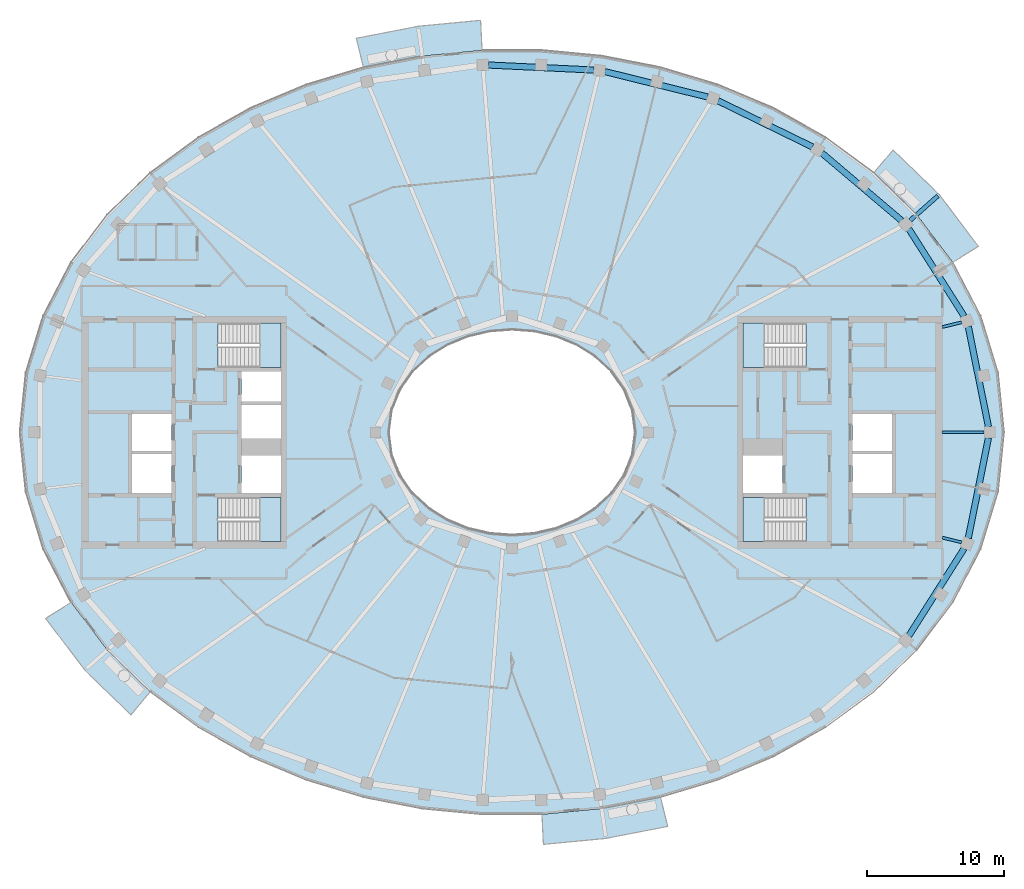
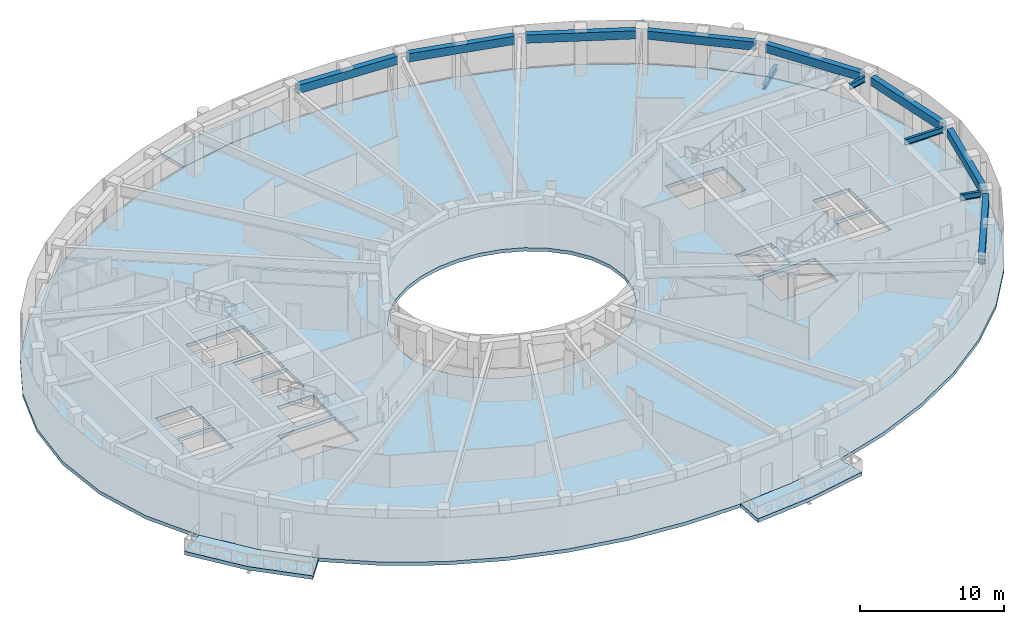
# One storey, part 2 of 20: 12 beams, 9 slabs, 4 elements without a shape of their own.
"""IFC4 building model written with IfcOpenShell, lengths in metres."""

from ifc_helpers import new_model, si_unit, direction, frame, origin, origin_2d, place, context, subcontext, project, spatial, polyline, rectangle, i_section, outline, extrude, material, layer, layer_set, material_profile, profile_set, type_object, element, aggregate, save


model = new_model("IFC4")

# Units and contexts
model_context = context("Model", 3, precision=1e-05, world=origin(), true_north=direction((0.0, 1.0)))
body_context = subcontext(model_context, "Body", "Model", "MODEL_VIEW")
ifc_project = project(units=[si_unit("LENGTHUNIT", "METRE"), si_unit("AREAUNIT", "SQUARE_METRE"), si_unit("VOLUMEUNIT", "CUBIC_METRE"), si_unit("PLANEANGLEUNIT", "RADIAN"), si_unit("MASSUNIT", "GRAM", prefix="KILO")], contexts=[model_context])

# Site, building, storey
site_placement = place(None, origin())
site = spatial("IfcSite", under=ifc_project, at=site_placement, CompositionType="ELEMENT")
building_placement = place(site_placement, origin())
building = spatial("IfcBuilding", under=site, at=building_placement, Name="Noorbagh Ring Tower", CompositionType="ELEMENT")
storey_placement = place(building_placement, frame((0.0, 0.0, 323.0)))
storey = spatial("IfcBuildingStorey", under=building, at=storey_placement, Name="L70", CompositionType="ELEMENT", Elevation=323.0)

# Beams
ifc_material_1 = material(Name="Steel S355", Category="steel")
ifc_material_profile_1 = material_profile(ifc_material_1, i_section(OverallWidth=0.300048828125, OverallDepth=0.39990234375, WebThickness=0.013427734375, FlangeThickness=0.02392578125, FilletRadius=0.027099609375, at=origin_2d()), Name="HEB400")
ifc_profile_set_1 = profile_set([ifc_material_profile_1], Name="Steel S355")
beam_type_1 = type_object("IfcBeamType", Name="STR-BALCONY-BRACKET-HEB400", PredefinedType="BEAM", material=ifc_profile_set_1)
beam_1_placement = place(storey_placement, frame((29.1220703125, 15.498779296875, -0.5), z_axis=(0.749065478734, 0.662495968719, 0.0), x_axis=(-0.662495968719, 0.749065478734, 0.0)))
element("IfcBeam", 1, at=beam_1_placement, inside=storey, type_object=beam_type_1, Name="Balcony bracket beam BN01", PredefinedType="BEAM", context=body_context, shape_type="SweptSolid", body=[
    extrude(i_section(OverallWidth=0.300048828125, OverallDepth=0.39990234375, WebThickness=0.013427734375, FlangeThickness=0.02392578125, FilletRadius=0.027099609375, at=origin_2d()), origin(), (0.0, 0.0, 1.0), 2.70458984375),
])
ifc_material_2 = material(Name="Steel S355", Category="steel")
ifc_material_profile_2 = material_profile(ifc_material_2, i_section(OverallWidth=0.199951171875, OverallDepth=0.5, WebThickness=0.01025390625, FlangeThickness=0.01611328125, FilletRadius=0.02099609375, at=origin_2d()), Name="IPE500")
ifc_profile_set_2 = profile_set([ifc_material_profile_2], Name="Steel S355")
beam_type_2 = type_object("IfcBeamType", Name="STR-RAD-IPE500", PredefinedType="BEAM", material=ifc_profile_set_2)
beam_2_placement = place(storey_placement, frame((34.539794921875, 0.0, 3.449951171875), z_axis=(-1.0, 0.0, 0.0), x_axis=(0.0, -1.0, 0.0)))
element("IfcBeam", 2, at=beam_2_placement, inside=storey, type_object=beam_type_2, Name="L70/bm/RD01", PredefinedType="BEAM", context=body_context, shape_type="SweptSolid", body=[
    extrude(i_section(OverallWidth=0.199951171875, OverallDepth=0.5, WebThickness=0.01025390625, FlangeThickness=0.01611328125, FilletRadius=0.02099609375, at=origin_2d()), origin(), (0.0, 0.0, 1.0), 3.059814453125),
])
for number, where, z_axis, x_axis, name in (
    (3, (32.9072265625, 8.052001953125, 3.449951171875), (-0.971342749116, -0.237683116228, 0.0), (0.237683116228, -0.971342749116, 0.0), "L70/bm/RD03"),
    (4, (32.9072265625, -8.052001953125, 3.449951171875), (-0.971342749116, 0.237683116228, 0.0), (-0.237683116228, -0.971342749116, 0.0), "L70/bm/RD45"),
):
    element("IfcBeam", number, at=place(storey_placement, frame(where, z_axis=z_axis, x_axis=x_axis)), inside=storey, type_object=beam_type_2, Name=name, PredefinedType="BEAM", context=body_context, shape_type="SweptSolid", body=[
        extrude(i_section(OverallWidth=0.199951171875, OverallDepth=0.5, WebThickness=0.01025390625, FlangeThickness=0.01611328125, FilletRadius=0.02099609375, at=origin_2d()), origin(), (0.0, 0.0, 1.0), 1.46875),
    ])
ifc_material_3 = material(Name="Concrete C40/50", Category="concrete")
ifc_material_profile_3 = material_profile(ifc_material_3, rectangle(XDim=0.449951171875, YDim=0.699951171875, at=origin_2d()), Name="RC450x700")
ifc_profile_set_3 = profile_set([ifc_material_profile_3], Name="Concrete C40/50")
beam_type_3 = type_object("IfcBeamType", Name="STR-SB-RC450x700-C40-50", PredefinedType="BEAM", material=ifc_profile_set_3)
beam_3_placement = place(storey_placement, frame((34.863037109375, 0.4052734375, 3.35009765625), z_axis=(-0.197200970376, 0.980363084414, 0.0), x_axis=(-0.980363084414, -0.197200970376, 0.0)))
element("IfcBeam", 5, at=beam_3_placement, inside=storey, type_object=beam_type_3, Name="L70/bm/SP01", PredefinedType="BEAM", context=body_context, shape_type="SweptSolid", body=[
    extrude(rectangle(XDim=0.449951171875, YDim=0.699951171875, at=origin_2d()), origin(), (0.0, 0.0, 1.0), 7.486328125),
])
beam_4_placement = place(storey_placement, frame((33.0849609375, 8.4970703125, 3.35009765625), z_axis=(-0.535190354095, 0.844731486855, 0.0), x_axis=(-0.844731486855, -0.535190354095, 0.0)))
element("IfcBeam", 6, at=beam_4_placement, inside=storey, type_object=beam_type_3, Name="L70/bm/SP03", PredefinedType="BEAM", context=body_context, shape_type="SweptSolid", body=[
    extrude(rectangle(XDim=0.449951171875, YDim=0.699951171875, at=origin_2d()), origin(), (0.0, 0.0, 1.0), 7.560546875),
])
beam_5_placement = place(storey_placement, frame((28.50634765625, 15.4951171875, 3.35009765625), z_axis=(-0.763033626147, 0.646358789968, 0.0), x_axis=(-0.646358789968, -0.763033626147, 0.0)))
element("IfcBeam", 7, at=beam_5_placement, inside=storey, type_object=beam_type_3, Name="L70/bm/SP05", PredefinedType="BEAM", context=body_context, shape_type="SweptSolid", body=[
    extrude(rectangle(XDim=0.449951171875, YDim=0.699951171875, at=origin_2d()), origin(), (0.0, 0.0, 1.0), 7.643798828125),
])
beam_6_placement = place(storey_placement, frame((21.99560546875, 20.879150390625, 3.35009765625), z_axis=(-0.898397700963, 0.439182844501, 0.0), x_axis=(-0.439182844501, -0.898397700963, 0.0)))
element("IfcBeam", 8, at=beam_6_placement, inside=storey, type_object=beam_type_3, Name="L70/bm/SP07", PredefinedType="BEAM", context=body_context, shape_type="SweptSolid", body=[
    extrude(rectangle(XDim=0.449951171875, YDim=0.699951171875, at=origin_2d()), origin(), (0.0, 0.0, 1.0), 7.70263671875),
])
beam_7_placement = place(storey_placement, frame((14.314208984375, 24.53857421875, 3.35009765625), z_axis=(-0.970829204931, 0.239772089397, 0.0), x_axis=(-0.239772089397, -0.970829204931, 0.0)))
element("IfcBeam", 9, at=beam_7_placement, inside=storey, type_object=beam_type_3, Name="L70/bm/SP09", PredefinedType="BEAM", context=body_context, shape_type="SweptSolid", body=[
    extrude(rectangle(XDim=0.449951171875, YDim=0.699951171875, at=origin_2d()), origin(), (0.0, 0.0, 1.0), 7.7353515625),
])
beam_8_placement = place(storey_placement, frame((6.002685546875, 26.51025390625, 3.35009765625), z_axis=(-0.998868993013, 0.047547184961, 0.0), x_axis=(-0.047547184961, -0.998868993013, 0.0)))
element("IfcBeam", 10, at=beam_8_placement, inside=storey, type_object=beam_type_3, Name="L70/bm/SP11", PredefinedType="BEAM", context=body_context, shape_type="SweptSolid", body=[
    extrude(rectangle(XDim=0.449951171875, YDim=0.699951171875, at=origin_2d()), origin(), (0.0, 0.0, 1.0), 7.748291015625),
])
beam_9_placement = place(storey_placement, frame((29.03857421875, -14.8837890625, 3.35009765625), z_axis=(0.535190354095, 0.844731486855, 0.0), x_axis=(-0.844731486855, 0.535190354095, 0.0)))
element("IfcBeam", 11, at=beam_9_placement, inside=storey, type_object=beam_type_3, Name="L70/bm/SP43", PredefinedType="BEAM", context=body_context, shape_type="SweptSolid", body=[
    extrude(rectangle(XDim=0.449951171875, YDim=0.699951171875, at=origin_2d()), origin(), (0.0, 0.0, 1.0), 7.560546875),
])
beam_10_placement = place(storey_placement, frame((33.38671875, -7.74462890625, 3.35009765625), z_axis=(0.197200970376, 0.980363084414, 0.0), x_axis=(-0.980363084414, 0.197200970376, 0.0)))
element("IfcBeam", 12, at=beam_10_placement, inside=storey, type_object=beam_type_3, Name="L70/bm/SP45", PredefinedType="BEAM", context=body_context, shape_type="SweptSolid", body=[
    extrude(rectangle(XDim=0.449951171875, YDim=0.699951171875, at=origin_2d()), origin(), (0.0, 0.0, 1.0), 7.486328125),
])

# Stair, slab
ifc_material_4 = material(Name="Concrete C40/50", Category="concrete")
stair_type = type_object("IfcStairType", Name="CORE-STAIR", PredefinedType="HALF_TURN_STAIR", material=ifc_material_4)
stair_1_placement = place(storey_placement, origin())
stair_1 = element("IfcStair", 13, at=stair_1_placement, inside=storey, type_object=stair_type, Name="L70 Exit stair ST1", PredefinedType="HALF_TURN_STAIR")
ifc_material_5 = material(Name="Concrete C40/50", Category="concrete")
ifc_layer_1 = layer(ifc_material_5, 0.300048828125)
ifc_layer_set_1 = layer_set([ifc_layer_1], Name="Concrete C40/50")
slab_type_1 = type_object("IfcSlabType", Name="CORE-STAIR-LANDING", PredefinedType="LANDING", material=ifc_layer_set_1)
slab_1_placement = place(storey_placement, frame((0.0, 0.0, 1.699951171875)))
slab_1 = element("IfcSlab", 14, at=slab_1_placement, type_object=slab_type_1, Name="ST1 landing 1", PredefinedType="LANDING", context=body_context, shape_type="SweptSolid", body=[
    extrude(outline(polyline([(-18.449951171875, 4.75), (-16.89990234375, 4.75), (-16.89990234375, 8.0), (-18.449951171875, 8.0), (-18.449951171875, 4.75)])), origin(), (0.0, 0.0, 1.0), 0.300048828125),
])
aggregate(stair_1, [slab_1])

stair_2_placement = place(storey_placement, origin())
stair_2 = element("IfcStair", 15, at=stair_2_placement, inside=storey, type_object=stair_type, Name="L70 Exit stair ST2", PredefinedType="HALF_TURN_STAIR")
slab_2_placement = place(storey_placement, frame((0.0, 0.0, 1.699951171875)))
slab_2 = element("IfcSlab", 16, at=slab_2_placement, type_object=slab_type_1, Name="ST2 landing 1", PredefinedType="LANDING", context=body_context, shape_type="SweptSolid", body=[
    extrude(outline(polyline([(-18.449951171875, -8.0), (-16.89990234375, -8.0), (-16.89990234375, -4.75), (-18.449951171875, -4.75), (-18.449951171875, -8.0)])), origin(), (0.0, 0.0, 1.0), 0.300048828125),
])
aggregate(stair_2, [slab_2])

stair_3_placement = place(storey_placement, origin())
stair_3 = element("IfcStair", 17, at=stair_3_placement, inside=storey, type_object=stair_type, Name="L70 Exit stair ST3", PredefinedType="HALF_TURN_STAIR")
slab_3_placement = place(storey_placement, frame((0.0, 0.0, 1.699951171875)))
slab_3 = element("IfcSlab", 18, at=slab_3_placement, type_object=slab_type_1, Name="ST3 landing 1", PredefinedType="LANDING", context=body_context, shape_type="SweptSolid", body=[
    extrude(outline(polyline([(18.449951171875, 8.0), (16.89990234375, 8.0), (16.89990234375, 4.75), (18.449951171875, 4.75), (18.449951171875, 8.0)])), origin(), (0.0, 0.0, 1.0), 0.300048828125),
])
aggregate(stair_3, [slab_3])

stair_4_placement = place(storey_placement, origin())
stair_4 = element("IfcStair", 19, at=stair_4_placement, inside=storey, type_object=stair_type, Name="L70 Exit stair ST4", PredefinedType="HALF_TURN_STAIR")
slab_4_placement = place(storey_placement, frame((0.0, 0.0, 1.699951171875)))
slab_4 = element("IfcSlab", 20, at=slab_4_placement, type_object=slab_type_1, Name="ST4 landing 1", PredefinedType="LANDING", context=body_context, shape_type="SweptSolid", body=[
    extrude(outline(polyline([(18.449951171875, -4.75), (16.89990234375, -4.75), (16.89990234375, -8.0), (18.449951171875, -8.0), (18.449951171875, -4.75)])), origin(), (0.0, 0.0, 1.0), 0.300048828125),
])
aggregate(stair_4, [slab_4])

# Slabs
ifc_material_6 = material(Name="Concrete C40/50", Category="concrete")
ifc_layer_2 = layer(ifc_material_6, 0.300048828125)
ifc_layer_set_2 = layer_set([ifc_layer_2], Name="Concrete C40/50")
slab_type_2 = type_object("IfcSlabType", Name="ENV-BALCONY DECK 300", PredefinedType="FLOOR", material=ifc_layer_set_2)
slab_5_placement = place(storey_placement, frame((0.0, 0.0, -0.300048828125)))
element("IfcSlab", 21, at=slab_5_placement, inside=storey, type_object=slab_type_2, Name="Tree balcony deck BN01", PredefinedType="FLOOR", context=body_context, shape_type="SweptSolid", body=[
    extrude(outline(polyline([(34.120361328125, 13.615966796875), (31.26025390625, 17.389892578125), (27.888671875, 20.665771484375), (26.463134765625, 18.983154296875), (29.607666015625, 15.92822265625), (32.255126953125, 12.434814453125), (34.120361328125, 13.615966796875)])), origin(), (0.0, 0.0, 1.0), 0.300048828125),
])
slab_6_placement = place(storey_placement, frame((0.0, 0.0, -0.300048828125)))
element("IfcSlab", 22, at=slab_6_placement, inside=storey, type_object=slab_type_2, Name="Tree balcony deck BN04", PredefinedType="FLOOR", context=body_context, shape_type="SweptSolid", body=[
    extrude(outline(polyline([(-2.2978515625, 30.14794921875), (-6.874755859375, 29.711181640625), (-11.3935546875, 28.832763671875), (-10.865234375, 26.6943359375), (-6.5595703125, 27.53125), (-2.193115234375, 27.947998046875), (-2.2978515625, 30.14794921875)])), origin(), (0.0, 0.0, 1.0), 0.300048828125),
])
slab_7_placement = place(storey_placement, frame((0.0, 0.0, -0.300048828125)))
element("IfcSlab", 23, at=slab_7_placement, inside=storey, type_object=slab_type_2, Name="Tree balcony deck BS01", PredefinedType="FLOOR", context=body_context, shape_type="SweptSolid", body=[
    extrude(outline(polyline([(-34.120361328125, -13.615966796875), (-31.26025390625, -17.389892578125), (-27.888671875, -20.665771484375), (-26.463134765625, -18.983154296875), (-29.607666015625, -15.92822265625), (-32.255126953125, -12.434814453125), (-34.120361328125, -13.615966796875)])), origin(), (0.0, 0.0, 1.0), 0.300048828125),
])
slab_8_placement = place(storey_placement, frame((0.0, 0.0, -0.300048828125)))
element("IfcSlab", 24, at=slab_8_placement, inside=storey, type_object=slab_type_2, Name="Tree balcony deck BS04", PredefinedType="FLOOR", context=body_context, shape_type="SweptSolid", body=[
    extrude(outline(polyline([(2.2978515625, -30.14794921875), (6.874755859375, -29.711181640625), (11.3935546875, -28.832763671875), (10.865234375, -26.6943359375), (6.5595703125, -27.53125), (2.193115234375, -27.947998046875), (2.2978515625, -30.14794921875)])), origin(), (0.0, 0.0, 1.0), 0.300048828125),
])
ifc_material_7 = material(Name="Concrete C40/50", Category="concrete")
ifc_layer_3 = layer(ifc_material_7, 0.300048828125)
ifc_layer_set_3 = layer_set([ifc_layer_3], Name="Concrete C40/50")
slab_type_3 = type_object("IfcSlabType", Name="STR-FLOOR-DECK-300", PredefinedType="FLOOR", material=ifc_layer_set_3)
slab_9_placement = place(storey_placement, frame((0.0, 0.0, -0.300048828125)))
element("IfcSlab", 25, at=slab_9_placement, inside=storey, type_object=slab_type_3, Name="L70/slab/1", PredefinedType="FLOOR", context=body_context, shape_type="SweptSolid", body=[
    extrude(outline(polyline([(36.0, 0.0), (35.56103515625, 4.358642578125), (34.281005859375, 8.548828125), (32.255126953125, 12.434814453125), (29.607666015625, 15.92822265625), (26.463134765625, 18.983154296875), (22.9326171875, 21.583740234375), (19.108154296875, 23.730224609375), (15.0654296875, 25.430419921875), (10.865234375, 26.6943359375), (6.5595703125, 27.53125), (2.193115234375, 27.947998046875), (-2.193115234375, 27.947998046875), (-6.5595703125, 27.53125), (-10.865234375, 26.6943359375), (-15.0654296875, 25.430419921875), (-19.108154296875, 23.730224609375), (-22.9326171875, 21.583740234375), (-26.463134765625, 18.983154296875), (-29.607666015625, 15.92822265625), (-32.255126953125, 12.434814453125), (-34.281005859375, 8.548828125), (-35.56103515625, 4.358642578125), (-36.0, 0.0), (-35.56103515625, -4.358642578125), (-34.281005859375, -8.548828125), (-32.255126953125, -12.434814453125), (-29.607666015625, -15.92822265625), (-26.463134765625, -18.983154296875), (-22.9326171875, -21.583740234375), (-19.108154296875, -23.730224609375), (-15.0654296875, -25.430419921875), (-10.865234375, -26.6943359375), (-6.5595703125, -27.53125), (-2.193115234375, -27.947998046875), (2.193115234375, -27.947998046875), (6.5595703125, -27.53125), (10.865234375, -26.6943359375), (15.0654296875, -25.430419921875), (19.108154296875, -23.730224609375), (22.9326171875, -21.583740234375), (26.463134765625, -18.983154296875), (29.607666015625, -15.92822265625), (32.255126953125, -12.434814453125), (34.281005859375, -8.548828125), (35.56103515625, -4.358642578125), (36.0, 0.0)]), holes=[polyline([(24.89990234375, -1.60009765625), (27.800048828125, -1.60009765625), (27.800048828125, -4.449951171875), (24.89990234375, -4.449951171875), (24.89990234375, -1.60009765625)]), polyline([(24.89990234375, 1.35009765625), (27.800048828125, 1.35009765625), (27.800048828125, -1.35009765625), (24.89990234375, -1.35009765625), (24.89990234375, 1.35009765625)]), polyline([(21.529541015625, -8.0), (16.89990234375, -8.0), (16.89990234375, -4.75), (21.529541015625, -4.75), (21.529541015625, -8.0)]), polyline([(21.529541015625, 4.75), (16.89990234375, 4.75), (16.89990234375, 8.0), (21.529541015625, 8.0), (21.529541015625, 4.75)]), polyline([(16.89990234375, -1.699951171875), (19.800048828125, -1.699951171875), (19.800048828125, -4.449951171875), (16.89990234375, -4.449951171875), (16.89990234375, -1.699951171875)]), polyline([(4.697509765625, -6.3974609375), (3.196533203125, -7.010986328125), (1.6171875, -7.3779296875), (0.0, -7.5), (-1.6171875, -7.3779296875), (-3.196533203125, -7.010986328125), (-4.697509765625, -6.3974609375), (-6.071044921875, -5.53662109375), (-7.2587890625, -4.43408203125), (-8.1904296875, -3.10888671875), (-8.79150390625, -1.605224609375), (-9.0, 0.0), (-8.79150390625, 1.605224609375), (-8.1904296875, 3.10888671875), (-7.2587890625, 4.43408203125), (-6.071044921875, 5.53662109375), (-4.697509765625, 6.3974609375), (-3.196533203125, 7.010986328125), (-1.6171875, 7.3779296875), (0.0, 7.5), (1.6171875, 7.3779296875), (3.196533203125, 7.010986328125), (4.697509765625, 6.3974609375), (6.071044921875, 5.53662109375), (7.2587890625, 4.43408203125), (8.1904296875, 3.10888671875), (8.79150390625, 1.605224609375), (9.0, 0.0), (8.79150390625, -1.605224609375), (8.1904296875, -3.10888671875), (7.2587890625, -4.43408203125), (6.071044921875, -5.53662109375), (4.697509765625, -6.3974609375)]), polyline([(-21.529541015625, -8.0), (-21.529541015625, -4.75), (-16.89990234375, -4.75), (-16.89990234375, -8.0), (-21.529541015625, -8.0)]), polyline([(-21.529541015625, 4.75), (-21.529541015625, 8.0), (-16.89990234375, 8.0), (-16.89990234375, 4.75), (-21.529541015625, 4.75)]), polyline([(-16.89990234375, -4.449951171875), (-19.800048828125, -4.449951171875), (-19.800048828125, -1.699951171875), (-16.89990234375, -1.699951171875), (-16.89990234375, -4.449951171875)]), polyline([(-16.89990234375, -0.449951171875), (-19.800048828125, -0.449951171875), (-19.800048828125, 2.0), (-16.89990234375, 2.0), (-16.89990234375, -0.449951171875)]), polyline([(-16.89990234375, 2.25), (-19.800048828125, 2.25), (-19.800048828125, 4.449951171875), (-16.89990234375, 4.449951171875), (-16.89990234375, 2.25)]), polyline([(-24.89990234375, -4.449951171875), (-27.800048828125, -4.449951171875), (-27.800048828125, -1.60009765625), (-24.89990234375, -1.60009765625), (-24.89990234375, -4.449951171875)]), polyline([(-24.89990234375, 1.35009765625), (-24.89990234375, -1.35009765625), (-27.800048828125, -1.35009765625), (-27.800048828125, 1.35009765625), (-24.89990234375, 1.35009765625)])]), origin(), (0.0, 0.0, 1.0), 0.300048828125),
])

save(model, "model.ifc")
